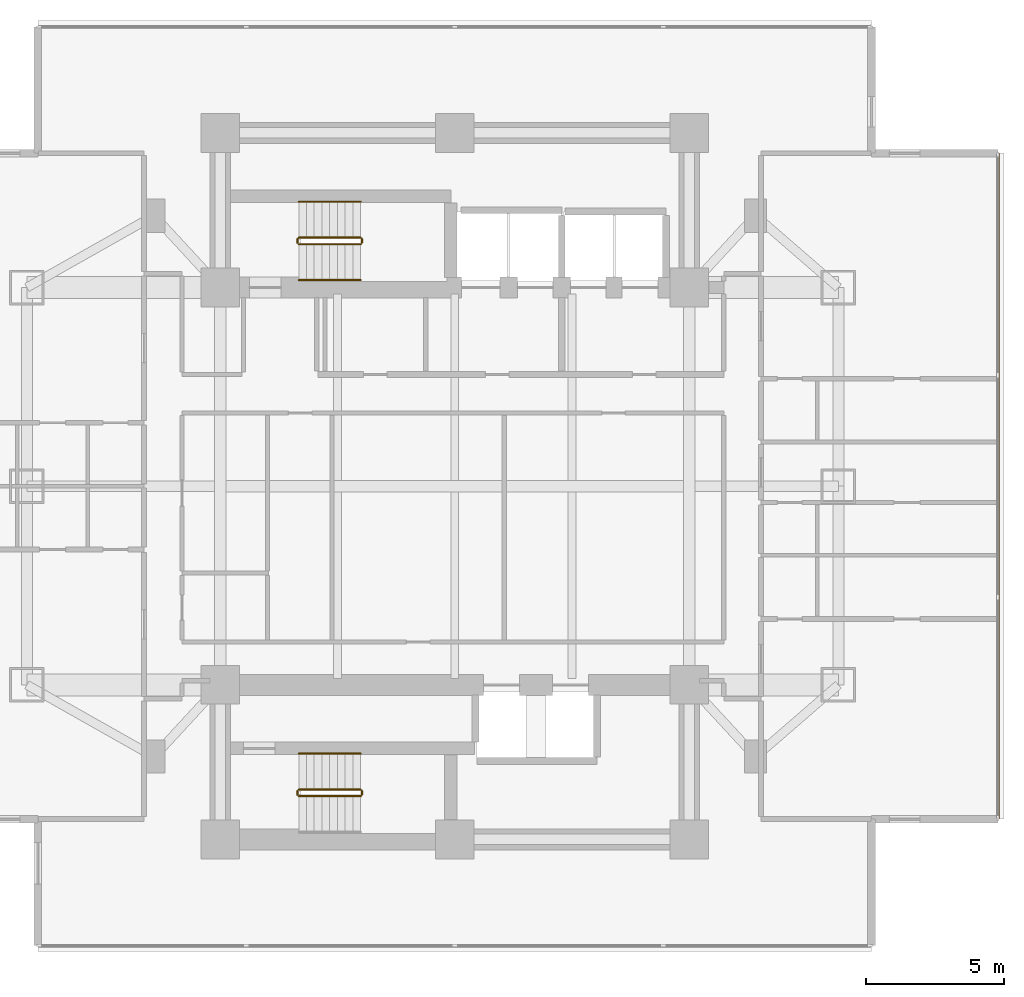
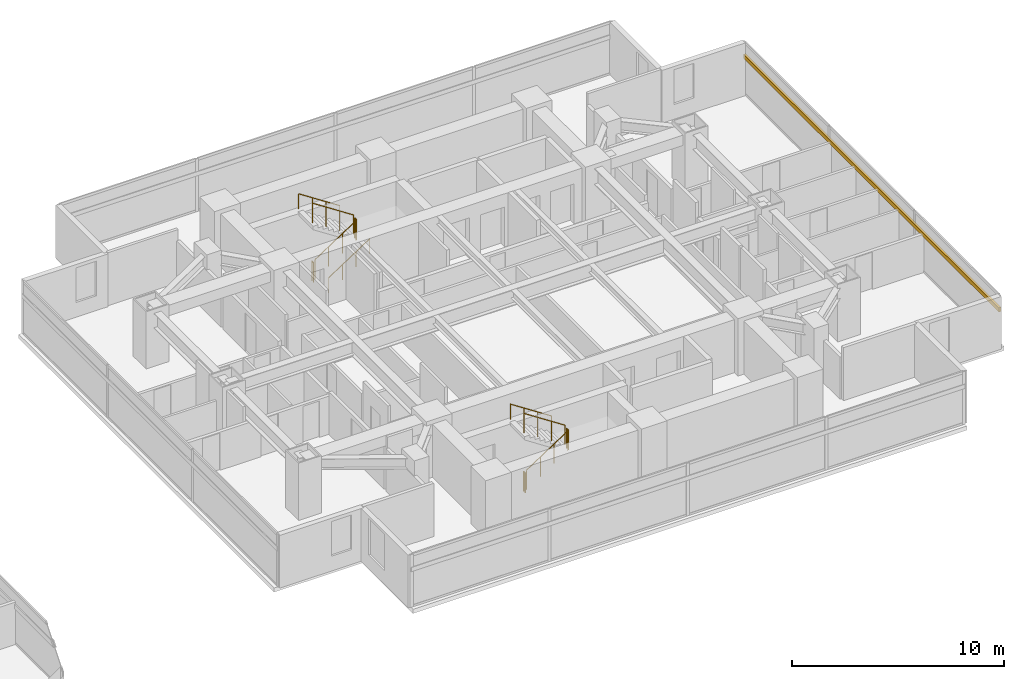
# One storey, part 25 of 26: 11 railings, 1 shading device.
"""IFC4 building model written with IfcOpenShell, lengths in metres."""

import ifcopenshell
import ifcopenshell.guid

model = None  # the IFC model being written
_history = None  # IfcOwnerHistory: only IFC2X3 demands one
_inside = {}  # id of a spatial element -> (the spatial element, [elements in it])
_under = {}  # id of a project, library or spatial element -> (it, [spatial elements below it])
_declared = {}  # id of a project -> (the project, [libraries it declares])
_typed = {}  # id of a type object -> (the type object, [elements of that type])
_made_of = {}  # id of a material, layer set ... -> (it, [elements and type objects made of it])


def new_model(schema):
    """Start an empty IFC model of exactly this schema.

    Asked for "IFC4X3", IfcOpenShell would pick the latest addendum, in which some entities
    have other attributes; the version numbers below select the first issue.
    IFC2X3 requires an IfcOwnerHistory on every rooted entity: one is made here for all.
    """
    global model, _history
    if schema == "IFC4X3":
        model = ifcopenshell.file(schema_version=(4, 3, 0, 0))
    else:
        model = ifcopenshell.file(schema=schema)
    _inside.clear()
    _under.clear()
    _declared.clear()
    _typed.clear()
    _made_of.clear()
    _history = None
    if model.schema == "IFC2X3":
        org = make("IfcOrganization", Name="unknown")
        user = make(
            "IfcPersonAndOrganization",
            ThePerson=make("IfcPerson", FamilyName="unknown"),
            TheOrganization=org,
        )
        app = make(
            "IfcApplication",
            ApplicationDeveloper=org,
            Version="unknown",
            ApplicationFullName="unknown",
            ApplicationIdentifier="unknown",
        )
        _history = make(
            "IfcOwnerHistory",
            OwningUser=user,
            OwningApplication=app,
            ChangeAction="ADDED",
            CreationDate=0,
        )
    return model


def make(cls, **values):
    """One entity of the class cls with the attributes given. An attribute that is None is left unset."""
    return model.create_entity(
        cls, **{name: value for name, value in values.items() if value is not None}
    )


def rooted(cls, **values):
    """An entity with a GlobalId (a new one), such as an element, a storey or a relation."""
    return make(cls, GlobalId=ifcopenshell.guid.new(), OwnerHistory=_history, **values)


def si_unit(unit_type, name, prefix=None):
    """IfcSIUnit, for example si_unit("LENGTHUNIT", "METRE", prefix="MILLI")."""
    return make("IfcSIUnit", UnitType=unit_type, Prefix=prefix, Name=name)


def assignment(units):
    """IfcUnitAssignment: the units of a project."""
    return None if units is None else make("IfcUnitAssignment", Units=units)


def point(xyz):
    """IfcCartesianPoint."""
    return None if xyz is None else make("IfcCartesianPoint", Coordinates=xyz)


def direction(xyz):
    """IfcDirection."""
    return None if xyz is None else make("IfcDirection", DirectionRatios=xyz)


def frame(location, z_axis=None, x_axis=None):
    """IfcAxis2Placement3D, a coordinate frame: its origin and axes. An axis left out is left unset."""
    return make(
        "IfcAxis2Placement3D",
        Location=point(location),
        Axis=direction(z_axis),
        RefDirection=direction(x_axis),
    )


def frame_2d(location, x_axis=None):
    """IfcAxis2Placement2D, a coordinate frame in the plane: its origin and x axis."""
    return make(
        "IfcAxis2Placement2D", Location=point(location), RefDirection=direction(x_axis)
    )


def origin():
    """The frame at (0, 0, 0) with its axes left unset."""
    return frame((0.0, 0.0, 0.0))


def origin_2d():
    """The frame at (0, 0) in the plane with its x axis left unset."""
    return frame_2d((0.0, 0.0))


def place(relative_to, where):
    """IfcLocalPlacement: puts the frame where relative to a parent placement (None: the world)."""
    return make(
        "IfcLocalPlacement", PlacementRelTo=relative_to, RelativePlacement=where
    )


def context(
    kind, dimensions, precision=None, world=None, true_north=None, identifier=None
):
    """IfcGeometricRepresentationContext, for example the 3D "Model" context."""
    return make(
        "IfcGeometricRepresentationContext",
        ContextIdentifier=identifier,
        ContextType=kind,
        CoordinateSpaceDimension=dimensions,
        Precision=precision,
        WorldCoordinateSystem=world,
        TrueNorth=true_north,
    )


def subcontext(parent, identifier, kind, view, scale=None):
    """IfcGeometricRepresentationSubContext, for example "Body" below "Model"."""
    return make(
        "IfcGeometricRepresentationSubContext",
        ContextIdentifier=identifier,
        ContextType=kind,
        ParentContext=parent,
        TargetScale=scale,
        TargetView=view,
    )


def project(units=None, contexts=None):
    """IfcProject with its units and contexts."""
    return rooted(
        "IfcProject",
        Name="project",
        RepresentationContexts=contexts,
        UnitsInContext=assignment(units),
    )


def spatial(cls, under=None, at=None, **own):
    """A site, building, storey or space (cls), placed at a placement, below another one or the project."""
    s = rooted(cls, ObjectPlacement=at, **own)
    if under is not None:
        _under.setdefault(under.id(), (under, []))[1].append(s)
    return s


def profile(cls, at=None, kind="AREA", **sizes):
    """A parametric profile (cls). Its sizes go by their IFC names, for example OverallWidth=200.0."""
    return make(cls, ProfileType=kind, Position=at, **sizes)


def rectangle(**sizes):
    """IfcRectangleProfileDef."""
    return profile("IfcRectangleProfileDef", **sizes)


def circle(**sizes):
    """IfcCircleProfileDef."""
    return profile("IfcCircleProfileDef", **sizes)


def extrude(swept, where, along, depth):
    """IfcExtrudedAreaSolid: the profile swept, set in the frame where, extruded along a direction by depth."""
    return make(
        "IfcExtrudedAreaSolid",
        SweptArea=swept,
        Position=where,
        ExtrudedDirection=direction(along),
        Depth=depth,
    )


def shape(context_of_items, identifier, shape_type, items):
    """IfcShapeRepresentation: the items that make up one representation, for example the "Body"."""
    return make(
        "IfcShapeRepresentation",
        ContextOfItems=context_of_items,
        RepresentationIdentifier=identifier,
        RepresentationType=shape_type,
        Items=items,
    )


def material(Name=None, Category=None):
    """IfcMaterial."""
    return make("IfcMaterial", Name=Name, Category=Category)


def material_profile(
    of_material, cross_section, Name=None, Category=None, Priority=None
):
    """IfcMaterialProfile: a cross section and its material."""
    return make(
        "IfcMaterialProfile",
        Name=Name,
        Material=of_material,
        Profile=cross_section,
        Priority=Priority,
        Category=Category,
    )


def profile_set(profiles, Name=None, composite=None):
    """IfcMaterialProfileSet."""
    return make(
        "IfcMaterialProfileSet",
        Name=Name,
        MaterialProfiles=profiles,
        CompositeProfile=composite,
    )


def made_of(thing, what):
    """Note that an element or type object is made of a material, layer set ...; save() writes the relation."""
    if what is not None:
        _made_of.setdefault(what.id(), (what, []))[1].append(thing)
    return thing


def type_object(cls, material=None, **own):
    """A type object (cls), such as IfcWallType, which elements share."""
    return made_of(rooted(cls, **own), material)


def element(
    cls,
    number,
    at=None,
    inside=None,
    cuts=None,
    type_object=None,
    material=None,
    context=None,
    identifier="Body",
    shape_type=None,
    held_by="IfcProductDefinitionShape",
    body=None,
    shapes=None,
    **own,
):
    """One element of the class cls, such as IfcWall. Its Tag is "e" and its number.

    at: its placement. inside: the storey or other place that contains it. cuts: it is an
    opening in that element (IfcRelVoidsElement). A single representation is given by context,
    identifier, shape_type and body (its items); several are given by shapes. held_by: the class
    of the entity that holds the representations. save() writes the other relations.
    """
    e = rooted(cls, Tag="e%d" % number, ObjectPlacement=at, **own)
    if body is not None:
        shapes = [shape(context, identifier, shape_type, body)]
    if shapes is not None:
        e.Representation = make(held_by, Representations=shapes)
    if inside is not None:
        _inside.setdefault(inside.id(), (inside, []))[1].append(e)
    if cuts is not None:
        rooted(
            "IfcRelVoidsElement", RelatingBuildingElement=cuts, RelatedOpeningElement=e
        )
    if type_object is not None:
        _typed.setdefault(type_object.id(), (type_object, []))[1].append(e)
    return made_of(e, material)


def aggregate(whole, parts):
    """IfcRelAggregates: a whole, such as a stair, and the parts it consists of."""
    return rooted("IfcRelAggregates", RelatingObject=whole, RelatedObjects=parts)


def save(model, path):
    """Write the relations noted so far, then the file.

    IfcRelAggregates (storeys below a building ...), IfcRelContainedInSpatialStructure (elements
    in a storey), IfcRelDefinesByType, IfcRelAssociatesMaterial and IfcRelDeclares: one each for
    every whole, place, type object, material and project.
    """
    for whole, parts in _under.values():
        aggregate(whole, parts)
    for where, things in _inside.values():
        rooted(
            "IfcRelContainedInSpatialStructure",
            RelatedElements=things,
            RelatingStructure=where,
        )
    for kind, things in _typed.values():
        rooted("IfcRelDefinesByType", RelatedObjects=things, RelatingType=kind)
    for what, things in _made_of.values():
        rooted("IfcRelAssociatesMaterial", RelatedObjects=things, RelatingMaterial=what)
    for by, libraries in _declared.values():
        rooted("IfcRelDeclares", RelatingContext=by, RelatedDefinitions=libraries)
    model.write(path)


model = new_model("IFC4")

# Units and contexts
model_context = context("Model", 3, precision=1e-05, world=origin(), true_north=direction((0.0, 1.0)))
body_context = subcontext(model_context, "Body", "Model", "MODEL_VIEW")
ifc_project = project(units=[si_unit("LENGTHUNIT", "METRE"), si_unit("AREAUNIT", "SQUARE_METRE"), si_unit("VOLUMEUNIT", "CUBIC_METRE"), si_unit("PLANEANGLEUNIT", "RADIAN"), si_unit("MASSUNIT", "GRAM", prefix="KILO")], contexts=[model_context])

# Site, building, storey
site_placement = place(None, origin())
site = spatial("IfcSite", under=ifc_project, at=site_placement, CompositionType="ELEMENT")
building_placement = place(site_placement, origin())
building = spatial("IfcBuilding", under=site, at=building_placement, Name="Mirazonda Arch Towers", CompositionType="ELEMENT")
storey_placement = place(building_placement, frame((0.0, 0.0, 48.800048828125)))
storey = spatial("IfcBuildingStorey", under=building, at=storey_placement, Name="L13", CompositionType="ELEMENT", Elevation=48.800048828125)

# Shading device
ifc_material_1 = material(Name="Kiln-Fired Architectural Terracotta", Category="masonry")
ifc_material_profile = material_profile(ifc_material_1, rectangle(XDim=0.1201171875, YDim=0.239990234375, at=origin_2d()), Name="TERRA-BAG-120x240")
ifc_profile_set = profile_set([ifc_material_profile], Name="Kiln-Fired Architectural Terracotta")
shading_device_type = type_object("IfcShadingDeviceType", Name="BAGUETTE-1", PredefinedType="USERDEFINED", material=ifc_profile_set)
shading_device_placement = place(storey_placement, frame((96.18408203125, 15.93359375, 2.188720703125), z_axis=(0.0, 1.0, 0.0), x_axis=(-1.0, 0.0, 0.0)))
element("IfcShadingDevice", 1, at=shading_device_placement, inside=storey, type_object=shading_device_type, Name="L13 Glazed Terracotta Sun-Screen Baguette CW-L13-T2-E", ObjectType="BAGUETTE", PredefinedType="USERDEFINED", context=body_context, shape_type="SweptSolid", body=[
    extrude(rectangle(XDim=0.1201171875, YDim=0.239990234375, at=origin_2d()), origin(), (0.0, 0.0, 1.0), 24.1328125),
])

# Railings
ifc_material_2 = material(Name="Architectural Brushed Steel S355", Category="steel")
railing_type_1 = type_object("IfcRailingType", Name="GUARD-STAIR-1120", PredefinedType="GUARDRAIL", material=ifc_material_2)
railing_1_placement = place(storey_placement, frame((70.85009765625, 36.77001953125, 0.183349609375)))
element("IfcRailing", 2, at=railing_1_placement, inside=storey, type_object=railing_type_1, Name="L13 ST-T2N stair guard 1", PredefinedType="GUARDRAIL", context=body_context, shape_type="SweptSolid", body=[
    extrude(circle(Radius=0.02392578125, at=origin_2d()), frame((0.0, 0.0, 1.1259765625), z_axis=(0.836636935527, 0.0, 0.547757827979), x_axis=(0.0, 1.0, 0.0)), (0.0, 0.0, 1.0), 2.677490234375),
    extrude(circle(Radius=0.02099609375, at=origin_2d()), origin(), (0.0, 0.0, 1.0), 1.101806640625),
    extrude(circle(Radius=0.02099609375, at=origin_2d()), frame((0.74658203125, 0.0, 0.48876953125)), (0.0, 0.0, 1.0), 1.101806640625),
    extrude(circle(Radius=0.02099609375, at=origin_2d()), frame((1.493408203125, 0.0, 0.977783203125)), (0.0, 0.0, 1.0), 1.101806640625),
    extrude(circle(Radius=0.02099609375, at=origin_2d()), frame((2.239990234375, 0.0, 1.466552734375)), (0.0, 0.0, 1.0), 1.101806640625),
])
railing_2_placement = place(storey_placement, frame((73.139892578125, 36.820068359375, 1.64990234375)))
element("IfcRailing", 3, at=railing_2_placement, inside=storey, type_object=railing_type_1, Name="L13 ST-T2N stair guard 2", PredefinedType="GUARDRAIL", context=body_context, shape_type="SweptSolid", body=[
    extrude(circle(Radius=0.02392578125, at=origin_2d()), frame((0.0, 0.0, 1.1259765625), z_axis=(0.0, 1.0, 0.0), x_axis=(-1.0, 0.0, 0.0)), (0.0, 0.0, 1.0), 0.139892578125),
    extrude(circle(Radius=0.02099609375, at=origin_2d()), origin(), (0.0, 0.0, 1.0), 1.101806640625),
    extrude(circle(Radius=0.02099609375, at=origin_2d()), frame((0.0, 0.139892578125, 0.0)), (0.0, 0.0, 1.0), 1.101806640625),
])
railing_3_placement = place(storey_placement, frame((73.090087890625, 37.010009765625, 1.833251953125)))
element("IfcRailing", 4, at=railing_3_placement, inside=storey, type_object=railing_type_1, Name="L13 ST-T2N stair guard 3", PredefinedType="GUARDRAIL", context=body_context, shape_type="SweptSolid", body=[
    extrude(circle(Radius=0.02392578125, at=origin_2d()), frame((0.0, 0.0, 1.1259765625), z_axis=(-0.836595146698, 0.0, 0.547821650285), x_axis=(0.0, -1.0, 0.0)), (0.0, 0.0, 1.0), 2.677490234375),
    extrude(circle(Radius=0.02099609375, at=origin_2d()), origin(), (0.0, 0.0, 1.0), 1.101806640625),
    extrude(circle(Radius=0.02099609375, at=origin_2d()), frame((-0.74658203125, 0.0, 0.489013671875)), (0.0, 0.0, 1.0), 1.101806640625),
    extrude(circle(Radius=0.02099609375, at=origin_2d()), frame((-1.493408203125, 0.0, 0.977783203125)), (0.0, 0.0, 1.0), 1.101806640625),
    extrude(circle(Radius=0.02099609375, at=origin_2d()), frame((-2.239990234375, 0.0, 1.466796875)), (0.0, 0.0, 1.0), 1.101806640625),
])
railing_4_placement = place(storey_placement, frame((70.800048828125, 36.820068359375, 0.0)))
element("IfcRailing", 5, at=railing_4_placement, inside=storey, type_object=railing_type_1, Name="L13 ST-T2N stair guard 4", PredefinedType="GUARDRAIL", context=body_context, shape_type="SweptSolid", body=[
    extrude(circle(Radius=0.02392578125, at=origin_2d()), frame((0.0, 0.0, 1.1259765625), z_axis=(0.0, 1.0, 0.0), x_axis=(-1.0, 0.0, 0.0)), (0.0, 0.0, 1.0), 0.139892578125),
    extrude(circle(Radius=0.02099609375, at=origin_2d()), origin(), (0.0, 0.0, 1.0), 1.101806640625),
    extrude(circle(Radius=0.02099609375, at=origin_2d()), frame((0.0, 0.139892578125, 0.0)), (0.0, 0.0, 1.0), 1.101806640625),
])
railing_5_placement = place(storey_placement, frame((70.85009765625, 16.77001953125, 0.183349609375)))
element("IfcRailing", 6, at=railing_5_placement, inside=storey, type_object=railing_type_1, Name="L13 ST-T2S stair guard 1", PredefinedType="GUARDRAIL", context=body_context, shape_type="SweptSolid", body=[
    extrude(circle(Radius=0.02392578125, at=origin_2d()), frame((0.0, 0.0, 1.1259765625), z_axis=(0.836636935527, 0.0, 0.547757827979), x_axis=(0.0, 1.0, 0.0)), (0.0, 0.0, 1.0), 2.677490234375),
    extrude(circle(Radius=0.02099609375, at=origin_2d()), origin(), (0.0, 0.0, 1.0), 1.101806640625),
    extrude(circle(Radius=0.02099609375, at=origin_2d()), frame((0.74658203125, 0.0, 0.48876953125)), (0.0, 0.0, 1.0), 1.101806640625),
    extrude(circle(Radius=0.02099609375, at=origin_2d()), frame((1.493408203125, 0.0, 0.977783203125)), (0.0, 0.0, 1.0), 1.101806640625),
    extrude(circle(Radius=0.02099609375, at=origin_2d()), frame((2.239990234375, 0.0, 1.466552734375)), (0.0, 0.0, 1.0), 1.101806640625),
])
railing_6_placement = place(storey_placement, frame((73.139892578125, 16.820068359375, 1.64990234375)))
element("IfcRailing", 7, at=railing_6_placement, inside=storey, type_object=railing_type_1, Name="L13 ST-T2S stair guard 2", PredefinedType="GUARDRAIL", context=body_context, shape_type="SweptSolid", body=[
    extrude(circle(Radius=0.02392578125, at=origin_2d()), frame((0.0, 0.0, 1.1259765625), z_axis=(0.0, 1.0, 0.0), x_axis=(-1.0, 0.0, 0.0)), (0.0, 0.0, 1.0), 0.139892578125),
    extrude(circle(Radius=0.02099609375, at=origin_2d()), origin(), (0.0, 0.0, 1.0), 1.101806640625),
    extrude(circle(Radius=0.02099609375, at=origin_2d()), frame((0.0, 0.139892578125, 0.0)), (0.0, 0.0, 1.0), 1.101806640625),
])
railing_7_placement = place(storey_placement, frame((73.090087890625, 17.010009765625, 1.833251953125)))
element("IfcRailing", 8, at=railing_7_placement, inside=storey, type_object=railing_type_1, Name="L13 ST-T2S stair guard 3", PredefinedType="GUARDRAIL", context=body_context, shape_type="SweptSolid", body=[
    extrude(circle(Radius=0.02392578125, at=origin_2d()), frame((0.0, 0.0, 1.1259765625), z_axis=(-0.836595146698, 0.0, 0.547821650285), x_axis=(0.0, -1.0, 0.0)), (0.0, 0.0, 1.0), 2.677490234375),
    extrude(circle(Radius=0.02099609375, at=origin_2d()), origin(), (0.0, 0.0, 1.0), 1.101806640625),
    extrude(circle(Radius=0.02099609375, at=origin_2d()), frame((-0.74658203125, 0.0, 0.489013671875)), (0.0, 0.0, 1.0), 1.101806640625),
    extrude(circle(Radius=0.02099609375, at=origin_2d()), frame((-1.493408203125, 0.0, 0.977783203125)), (0.0, 0.0, 1.0), 1.101806640625),
    extrude(circle(Radius=0.02099609375, at=origin_2d()), frame((-2.239990234375, 0.0, 1.466796875)), (0.0, 0.0, 1.0), 1.101806640625),
])
railing_8_placement = place(storey_placement, frame((70.800048828125, 16.820068359375, 0.0)))
element("IfcRailing", 9, at=railing_8_placement, inside=storey, type_object=railing_type_1, Name="L13 ST-T2S stair guard 4", PredefinedType="GUARDRAIL", context=body_context, shape_type="SweptSolid", body=[
    extrude(circle(Radius=0.02392578125, at=origin_2d()), frame((0.0, 0.0, 1.1259765625), z_axis=(0.0, 1.0, 0.0), x_axis=(-1.0, 0.0, 0.0)), (0.0, 0.0, 1.0), 0.139892578125),
    extrude(circle(Radius=0.02099609375, at=origin_2d()), origin(), (0.0, 0.0, 1.0), 1.101806640625),
    extrude(circle(Radius=0.02099609375, at=origin_2d()), frame((0.0, 0.139892578125, 0.0)), (0.0, 0.0, 1.0), 1.101806640625),
])
railing_type_2 = type_object("IfcRailingType", Name="HANDRAIL-915", PredefinedType="HANDRAIL", material=ifc_material_2)
railing_9_placement = place(storey_placement, frame((70.85009765625, 35.469970703125, 0.183349609375)))
element("IfcRailing", 10, at=railing_9_placement, inside=storey, type_object=railing_type_2, Name="L13 ST-T2N stair handrail 1", PredefinedType="HANDRAIL", context=body_context, shape_type="SweptSolid", body=[
    extrude(circle(Radius=0.02392578125, at=origin_2d()), frame((0.0, 0.0, 0.8759765625), z_axis=(0.836636935527, 0.0, 0.547757827979), x_axis=(0.0, 1.0, 0.0)), (0.0, 0.0, 1.0), 2.677490234375),
    extrude(circle(Radius=0.02099609375, at=origin_2d()), origin(), (0.0, 0.0, 1.0), 0.851806640625),
    extrude(circle(Radius=0.02099609375, at=origin_2d()), frame((0.74658203125, 0.0, 0.48876953125)), (0.0, 0.0, 1.0), 0.851806640625),
    extrude(circle(Radius=0.02099609375, at=origin_2d()), frame((1.493408203125, 0.0, 0.977783203125)), (0.0, 0.0, 1.0), 0.851806640625),
    extrude(circle(Radius=0.02099609375, at=origin_2d()), frame((2.239990234375, 0.0, 1.466552734375)), (0.0, 0.0, 1.0), 0.851806640625),
])
for number, where, name in (
    (11, (73.090087890625, 38.31005859375, 1.833251953125), "L13 ST-T2N stair handrail 2"),
    (12, (73.090087890625, 18.31005859375, 1.833251953125), "L13 ST-T2S stair handrail 2"),
):
    element("IfcRailing", number, at=place(storey_placement, frame(where)), inside=storey, type_object=railing_type_2, Name=name, PredefinedType="HANDRAIL", context=body_context, shape_type="SweptSolid", body=[
        extrude(circle(Radius=0.02392578125, at=origin_2d()), frame((0.0, 0.0, 0.8759765625), z_axis=(-0.836595146698, 0.0, 0.547821650285), x_axis=(0.0, -1.0, 0.0)), (0.0, 0.0, 1.0), 2.677490234375),
        extrude(circle(Radius=0.02099609375, at=origin_2d()), origin(), (0.0, 0.0, 1.0), 0.851806640625),
        extrude(circle(Radius=0.02099609375, at=origin_2d()), frame((-0.74658203125, 0.0, 0.489013671875)), (0.0, 0.0, 1.0), 0.851806640625),
        extrude(circle(Radius=0.02099609375, at=origin_2d()), frame((-1.493408203125, 0.0, 0.977783203125)), (0.0, 0.0, 1.0), 0.851806640625),
        extrude(circle(Radius=0.02099609375, at=origin_2d()), frame((-2.239990234375, 0.0, 1.466796875)), (0.0, 0.0, 1.0), 0.851806640625),
    ])

save(model, "model.ifc")
